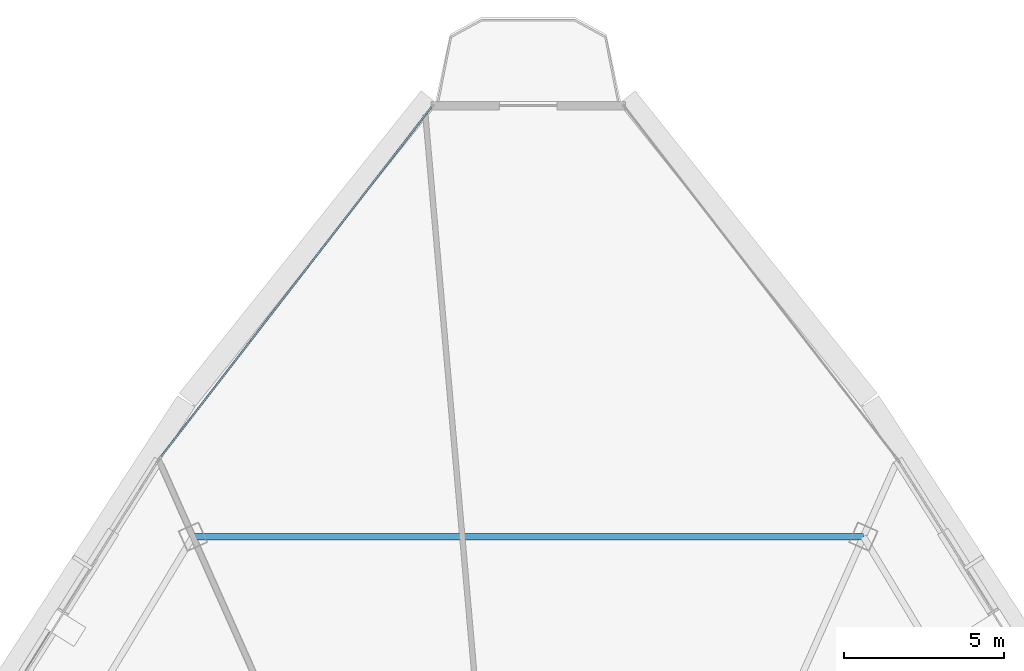
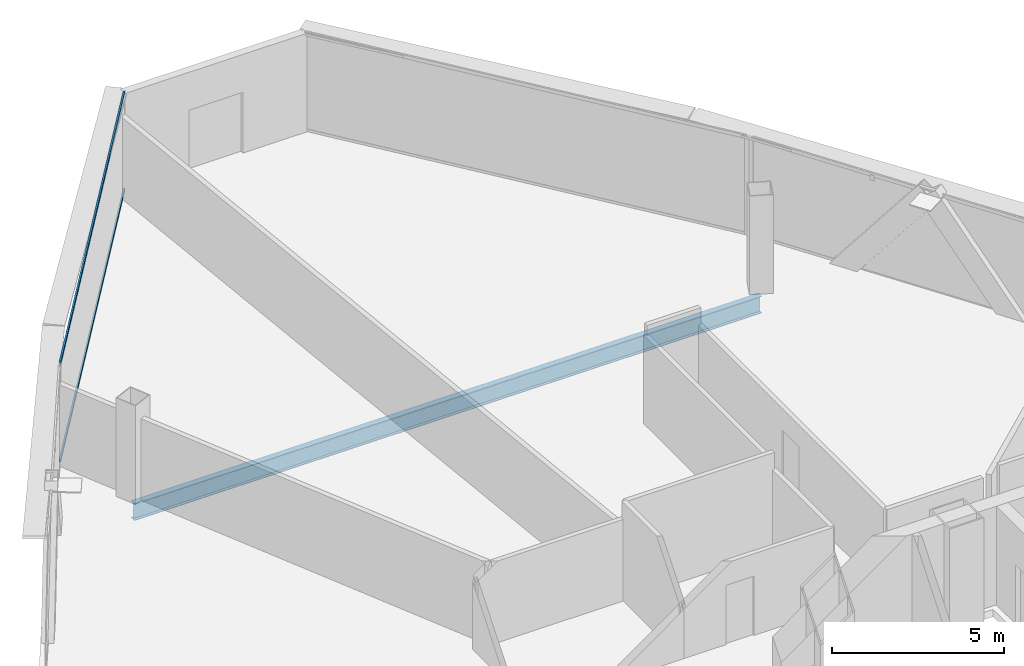
# One storey, part 18 of 30: 2 members, 1 beam, 1 element without a shape of its own.
"""IFC4 building model written with IfcOpenShell, lengths in metres."""

from ifc_helpers import new_model, si_unit, direction, frame, origin, origin_2d, place, context, subcontext, project, spatial, hollow_rectangle, i_section, extrude, source, transform, mapped, material, layer, layer_set, material_profile, profile_set, type_object, element, aggregate, save


model = new_model("IFC4")

# Units and contexts
model_context = context("Model", 3, precision=1e-05, world=origin(), true_north=direction((0.0, 1.0)))
body_context = subcontext(model_context, "Body", "Model", "MODEL_VIEW")
ifc_project = project(units=[si_unit("LENGTHUNIT", "METRE"), si_unit("AREAUNIT", "SQUARE_METRE"), si_unit("VOLUMEUNIT", "CUBIC_METRE"), si_unit("PLANEANGLEUNIT", "RADIAN"), si_unit("MASSUNIT", "GRAM", prefix="KILO"), si_unit("THERMODYNAMICTEMPERATUREUNIT", "KELVIN"), si_unit("POWERUNIT", "WATT")], contexts=[model_context])

# Site, building, storey
site_placement = place(None, origin())
site = spatial("IfcSite", under=ifc_project, at=site_placement, CompositionType="ELEMENT")
building_placement = place(site_placement, origin())
building = spatial("IfcBuilding", under=site, at=building_placement, Name="Yunzhuo Pagoda Commons", CompositionType="ELEMENT")
storey_placement = place(building_placement, frame((0.0, 0.0, 355.510009765625)))
storey = spatial("IfcBuildingStorey", under=building, at=storey_placement, Name="L89", CompositionType="ELEMENT", Elevation=355.510009765625)

# Beam
ifc_material_1 = material(Name="Structural steel Q355B", Category="steel")
ifc_material_profile_1 = material_profile(ifc_material_1, i_section(OverallWidth=0.199951171875, OverallDepth=0.60009765625, WebThickness=0.010986328125, FlangeThickness=0.01708984375, at=origin_2d()), Name="Structural steel Q355B")
ifc_profile_set_1 = profile_set([ifc_material_profile_1], Name="Structural steel Q355B")
beam_type = type_object("IfcBeamType", Name="B-RG3 Beam HN 600x200x11x17", PredefinedType="BEAM", material=ifc_profile_set_1)
shared_shape_1 = source(origin(), body_context, "Body", "SweptSolid", [
    extrude(i_section(OverallWidth=0.199951171875, OverallDepth=0.60009765625, WebThickness=0.010986328125, FlangeThickness=0.01708984375, at=origin_2d()), origin(), (0.0, 0.0, 1.0), 20.99755859375),
])
beam_placement = place(storey_placement, frame((58.498779296875, 57.281005859375, -0.56005859375), z_axis=(-1.0, 0.0, 0.0), x_axis=(0.0, -1.0, 0.0)))
element("IfcBeam", 1, at=beam_placement, inside=storey, type_object=beam_type, Name="L89 column-ring beam 8", PredefinedType="BEAM", context=body_context, shape_type="MappedRepresentation", body=[
    mapped(shared_shape_1, transform((0.0, 0.0, 0.0), scale=1.0)),
])

# Curtain wall, members
ifc_material_2 = material(Name="Anodized aluminium 6063-T6", Category="aluminium")
ifc_layer = layer(ifc_material_2, 0.139892578125)
ifc_layer_set = layer_set([ifc_layer], Name="Anodized aluminium 6063-T6")
curtain_wall_type = type_object("IfcCurtainWallType", Name="CW-HI High-Zone Ribbon Curtain Wall", PredefinedType="NOTDEFINED", material=ifc_layer_set)
curtain_wall_placement = place(storey_placement, origin())
curtain_wall = element("IfcCurtainWall", 2, at=curtain_wall_placement, inside=storey, type_object=curtain_wall_type, Name="L89 curtain wall CW-L89-F3B1", PredefinedType="NOTDEFINED")
ifc_material_profile_2 = material_profile(ifc_material_2, hollow_rectangle(XDim=0.054931640625, YDim=0.1201171875, WallThickness=0.00341796875, at=origin_2d()), Name="Anodized aluminium 6063-T6")
ifc_profile_set_2 = profile_set([ifc_material_profile_2], Name="Anodized aluminium 6063-T6")
member_type = type_object("IfcMemberType", Name="CW-HI-T Transom RHS 120x55x3.5", PredefinedType="USERDEFINED", material=ifc_profile_set_2)
shared_shape_2 = source(origin(), body_context, "Body", "SweptSolid", [
    extrude(hollow_rectangle(XDim=0.054931640625, YDim=0.1201171875, WallThickness=0.00341796875, at=origin_2d()), origin(), (0.0, 0.0, 1.0), 13.8232421875),
])
member_1_placement = place(storey_placement, frame((44.968994140625, 70.7314453125, 0.027587890625), z_axis=(-0.61190884163, -0.790928296077, 0.0), x_axis=(0.790928296077, -0.61190884163, 0.0)))
member_1 = element("IfcMember", 3, at=member_1_placement, type_object=member_type, Name="CW transom 1.1", ObjectType="TRANSOM", PredefinedType="USERDEFINED", context=body_context, shape_type="MappedRepresentation", body=[
    mapped(shared_shape_2, transform((0.0, 0.0, 0.0), scale=1.0)),
])
member_2_placement = place(storey_placement, frame((44.968994140625, 70.7314453125, 3.46240234375), z_axis=(-0.61190884163, -0.790928296077, 0.0), x_axis=(0.790928296077, -0.61190884163, 0.0)))
member_2 = element("IfcMember", 4, at=member_2_placement, type_object=member_type, Name="CW transom 1.2", ObjectType="TRANSOM", PredefinedType="USERDEFINED", context=body_context, shape_type="MappedRepresentation", body=[
    mapped(shared_shape_2, transform((0.0, 0.0, 0.0), scale=1.0)),
])
aggregate(curtain_wall, [member_1, member_2])

save(model, "model.ifc")
